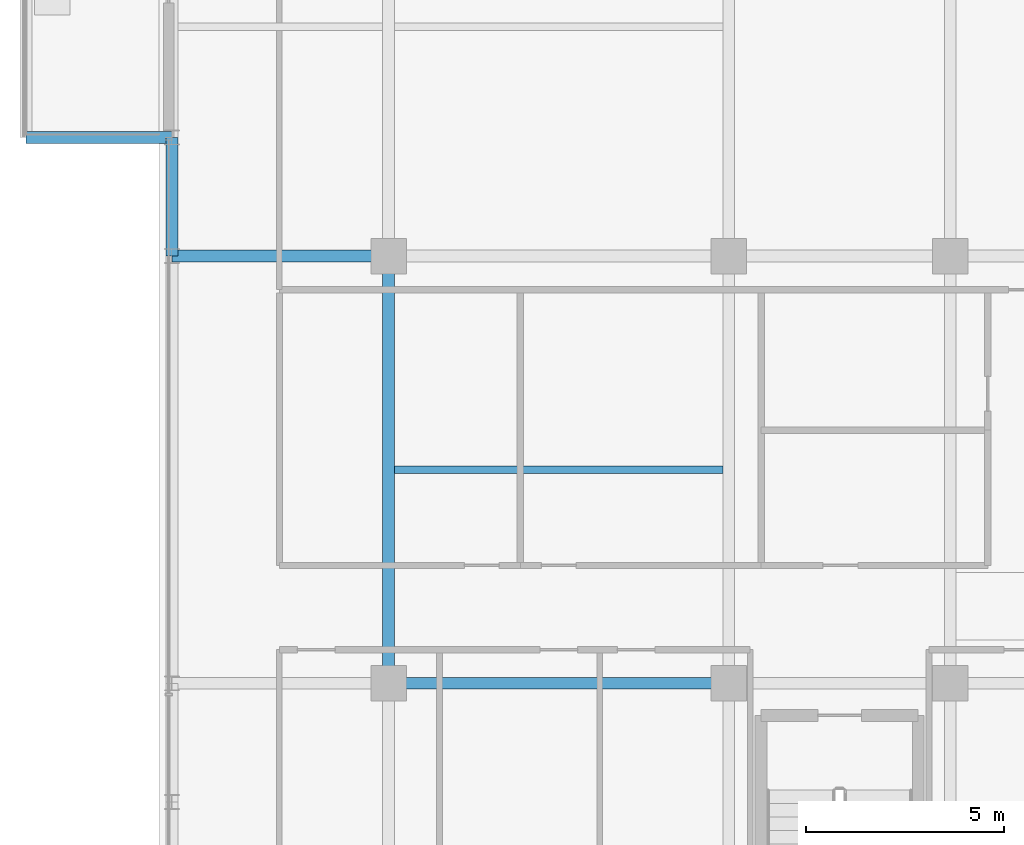
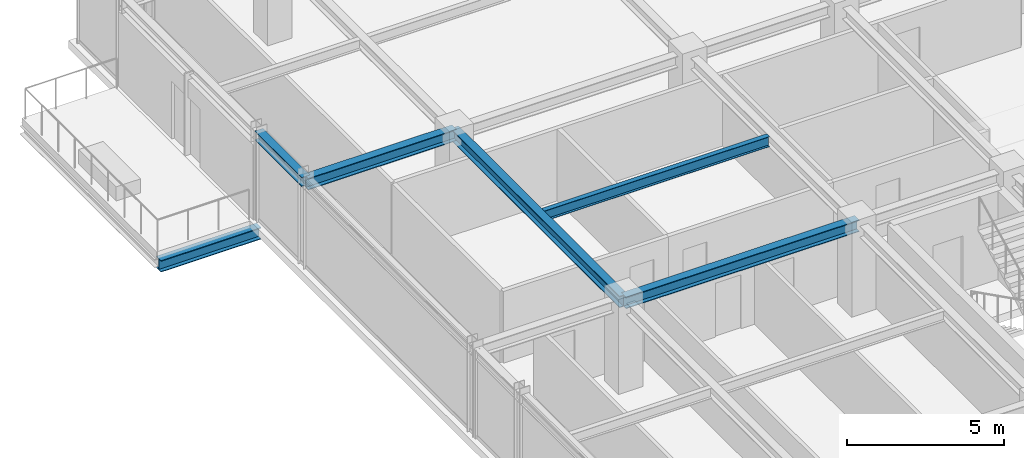
# One storey, part 9 of 36: 6 beams.
"""IFC4 building model written with IfcOpenShell, lengths in metres."""

from ifc_helpers import new_model, si_unit, direction, frame, origin, origin_2d, place, context, subcontext, project, spatial, i_section, extrude, source, transform, mapped, material, material_profile, profile_set, type_object, element, save


model = new_model("IFC4")

# Units and contexts
model_context = context("Model", 3, precision=1e-05, world=origin(), true_north=direction((0.0, 1.0)))
body_context = subcontext(model_context, "Body", "Model", "MODEL_VIEW")
ifc_project = project(units=[si_unit("LENGTHUNIT", "METRE"), si_unit("AREAUNIT", "SQUARE_METRE"), si_unit("VOLUMEUNIT", "CUBIC_METRE"), si_unit("PLANEANGLEUNIT", "RADIAN"), si_unit("MASSUNIT", "GRAM", prefix="KILO")], contexts=[model_context])

# Site, building, storey
site_placement = place(None, origin())
site = spatial("IfcSite", under=ifc_project, at=site_placement, CompositionType="ELEMENT")
building_placement = place(site_placement, origin())
building = spatial("IfcBuilding", under=site, at=building_placement, Name="Nahalor Promenade Grand Hotel", CompositionType="ELEMENT")
storey_placement = place(building_placement, frame((0.0, 0.0, 273.800048828125)))
storey = spatial("IfcBuildingStorey", under=building, at=storey_placement, Name="L70", CompositionType="ELEMENT", Elevation=273.800048828125)

# Beams
ifc_material = material(Name="Steel S355JR", Category="steel")
ifc_material_profile_1 = material_profile(ifc_material, i_section(OverallWidth=0.3, OverallDepth=0.45, WebThickness=0.014, FlangeThickness=0.026, at=origin_2d()), Name="HEB 450")
ifc_profile_set_1 = profile_set([ifc_material_profile_1], Name="Steel S355JR")
beam_type_1 = type_object("IfcBeamType", Name="Beam-Outrigger-HEB450", PredefinedType="BEAM", material=ifc_profile_set_1)
shared_shape_1 = source(origin(), body_context, "Body", "SweptSolid", [
    extrude(i_section(OverallWidth=0.3, OverallDepth=0.45, WebThickness=0.014, FlangeThickness=0.026, at=origin_2d()), origin(), (0.0, 0.0, 1.0), 3.68994140625),
])
beam_1_placement = place(storey_placement, frame((-26.169921875, 8.39990234375, -0.505126953125), z_axis=(1.0, 0.0, 0.0), x_axis=(0.0, 1.0, 0.0)))
element("IfcBeam", 1, at=beam_1_placement, inside=storey, type_object=beam_type_1, Name="BM-L70-BC-02-1", PredefinedType="BEAM", context=body_context, shape_type="MappedRepresentation", body=[
    mapped(shared_shape_1, transform((0.0, 0.0, 0.0), scale=1.0)),
])
ifc_material_profile_2 = material_profile(ifc_material, i_section(OverallWidth=0.3, OverallDepth=0.45, WebThickness=0.014, FlangeThickness=0.026, at=origin_2d()), Name="HEB 450")
ifc_profile_set_2 = profile_set([ifc_material_profile_2], Name="Steel S355JR")
beam_type_2 = type_object("IfcBeamType", Name="Beam-Girder-HEB450", PredefinedType="BEAM", material=ifc_profile_set_2)
shared_shape_2 = source(origin(), body_context, "Body", "SweptSolid", [
    extrude(i_section(OverallWidth=0.3, OverallDepth=0.45, WebThickness=0.014, FlangeThickness=0.026, at=origin_2d()), origin(), (0.0, 0.0, 1.0), 8.60009765625),
])
beam_2_placement = place(storey_placement, frame((-17.0, -5.39990234375, 3.224853515625), z_axis=(1.0, 0.0, 0.0), x_axis=(0.0, 1.0, 0.0)))
element("IfcBeam", 2, at=beam_2_placement, inside=storey, type_object=beam_type_2, Name="BM-L70-GX-1-1", PredefinedType="BEAM", context=body_context, shape_type="MappedRepresentation", body=[
    mapped(shared_shape_2, transform((0.0, 0.0, 0.0), scale=1.0)),
])
shared_shape_3 = source(origin(), body_context, "Body", "SweptSolid", [
    extrude(i_section(OverallWidth=0.3, OverallDepth=0.45, WebThickness=0.014, FlangeThickness=0.026, at=origin_2d()), origin(), (0.0, 0.0, 1.0), 10.7998046875),
])
beam_3_placement = place(storey_placement, frame((-17.0, -5.39990234375, 3.224853515625), z_axis=(0.0, 1.0, 0.0), x_axis=(-1.0, 0.0, 0.0)))
element("IfcBeam", 3, at=beam_3_placement, inside=storey, type_object=beam_type_2, Name="BM-L70-GY-0-2", PredefinedType="BEAM", context=body_context, shape_type="MappedRepresentation", body=[
    mapped(shared_shape_3, transform((0.0, 0.0, 0.0), scale=1.0)),
])
ifc_material_profile_3 = material_profile(ifc_material, i_section(OverallWidth=0.18, OverallDepth=0.4, WebThickness=0.0086, FlangeThickness=0.0135, at=origin_2d()), Name="IPE 400")
ifc_profile_set_3 = profile_set([ifc_material_profile_3], Name="Steel S355JR")
beam_type_3 = type_object("IfcBeamType", Name="Beam-Joist-IPE400", PredefinedType="JOIST", material=ifc_profile_set_3)
shared_shape_4 = source(origin(), body_context, "Body", "SweptSolid", [
    extrude(i_section(OverallWidth=0.18, OverallDepth=0.4, WebThickness=0.0086, FlangeThickness=0.0135, at=origin_2d()), origin(), (0.0, 0.0, 1.0), 8.300048828125),
])
beam_4_placement = place(storey_placement, frame((-16.85009765625, 0.0, 3.25), z_axis=(1.0, 0.0, 0.0), x_axis=(0.0, 1.0, 0.0)))
element("IfcBeam", 4, at=beam_4_placement, inside=storey, type_object=beam_type_3, Name="BM-L70-JSC-0", PredefinedType="JOIST", context=body_context, shape_type="MappedRepresentation", body=[
    mapped(shared_shape_4, transform((0.0, 0.0, 0.0), scale=1.0)),
])
shared_shape_5 = source(origin(), body_context, "Body", "SweptSolid", [
    extrude(i_section(OverallWidth=0.3, OverallDepth=0.45, WebThickness=0.014, FlangeThickness=0.026, at=origin_2d()), origin(), (0.0, 0.0, 1.0), 5.47998046875),
])
beam_5_placement = place(storey_placement, frame((-22.47998046875, 5.39990234375, 3.224853515625), z_axis=(1.0, 0.0, 0.0), x_axis=(0.0, 1.0, 0.0)))
element("IfcBeam", 5, at=beam_5_placement, inside=storey, type_object=beam_type_2, Name="BM-L70-GX-2-0", PredefinedType="BEAM", context=body_context, shape_type="MappedRepresentation", body=[
    mapped(shared_shape_5, transform((0.0, 0.0, 0.0), scale=1.0)),
])
ifc_material_profile_4 = material_profile(ifc_material, i_section(OverallWidth=0.3, OverallDepth=0.36, WebThickness=0.0125, FlangeThickness=0.0225, at=origin_2d()), Name="HEB 360")
ifc_profile_set_4 = profile_set([ifc_material_profile_4], Name="Steel S355JR")
beam_type_4 = type_object("IfcBeamType", Name="Beam-Spandrel-HEB360", PredefinedType="SPANDREL", material=ifc_profile_set_4)
shared_shape_6 = source(origin(), body_context, "Body", "SweptSolid", [
    extrude(i_section(OverallWidth=0.3, OverallDepth=0.36, WebThickness=0.0125, FlangeThickness=0.0225, at=origin_2d()), origin(), (0.0, 0.0, 1.0), 3.0),
])
beam_6_placement = place(storey_placement, frame((-22.47998046875, 5.39990234375, 3.27001953125), z_axis=(0.0, 1.0, 0.0), x_axis=(-1.0, 0.0, 0.0)))
element("IfcBeam", 6, at=beam_6_placement, inside=storey, type_object=beam_type_4, Name="BM-L70-SP-W-3", PredefinedType="SPANDREL", context=body_context, shape_type="MappedRepresentation", body=[
    mapped(shared_shape_6, transform((0.0, 0.0, 0.0), scale=1.0)),
])

save(model, "model.ifc")
